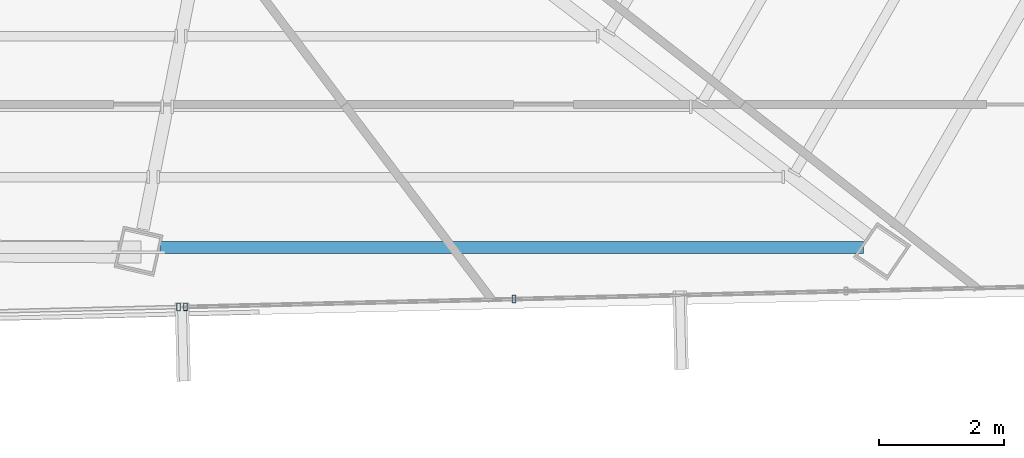
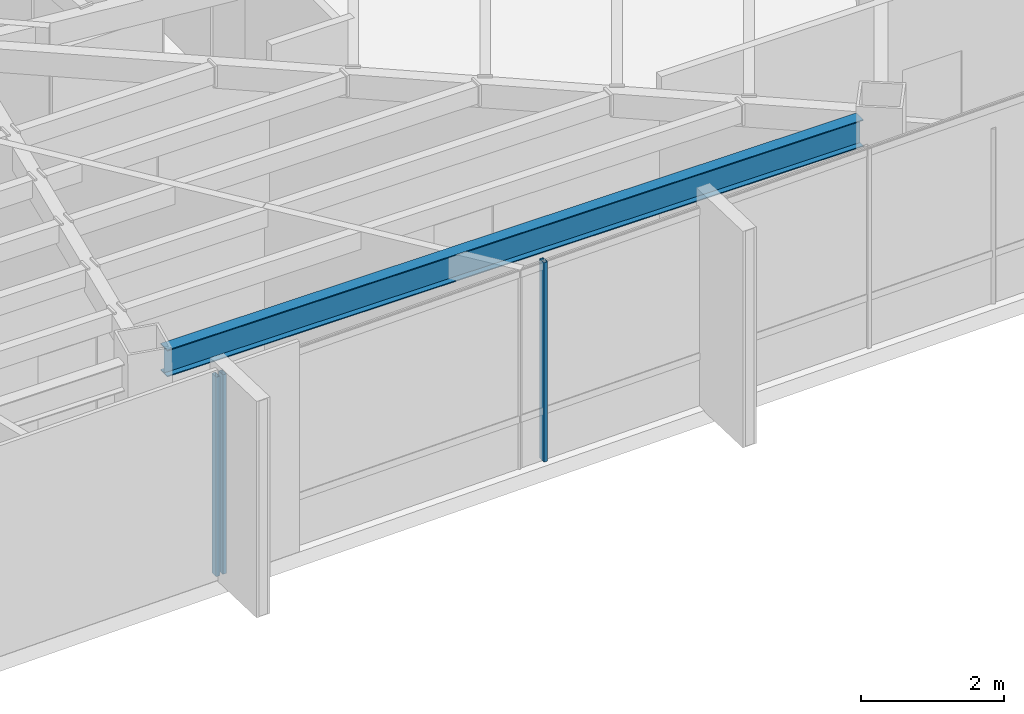
# One storey, part 19 of 45: 3 members, 1 beam, 2 elements without a shape of their own.
"""IFC4 building model written with IfcOpenShell, lengths in metres."""

import ifcopenshell
import ifcopenshell.guid

model = None  # the IFC model being written
_history = None  # IfcOwnerHistory: only IFC2X3 demands one
_inside = {}  # id of a spatial element -> (the spatial element, [elements in it])
_under = {}  # id of a project, library or spatial element -> (it, [spatial elements below it])
_declared = {}  # id of a project -> (the project, [libraries it declares])
_typed = {}  # id of a type object -> (the type object, [elements of that type])
_made_of = {}  # id of a material, layer set ... -> (it, [elements and type objects made of it])


def new_model(schema):
    """Start an empty IFC model of exactly this schema.

    Asked for "IFC4X3", IfcOpenShell would pick the latest addendum, in which some entities
    have other attributes; the version numbers below select the first issue.
    IFC2X3 requires an IfcOwnerHistory on every rooted entity: one is made here for all.
    """
    global model, _history
    if schema == "IFC4X3":
        model = ifcopenshell.file(schema_version=(4, 3, 0, 0))
    else:
        model = ifcopenshell.file(schema=schema)
    _inside.clear()
    _under.clear()
    _declared.clear()
    _typed.clear()
    _made_of.clear()
    _history = None
    if model.schema == "IFC2X3":
        org = make("IfcOrganization", Name="unknown")
        user = make(
            "IfcPersonAndOrganization",
            ThePerson=make("IfcPerson", FamilyName="unknown"),
            TheOrganization=org,
        )
        app = make(
            "IfcApplication",
            ApplicationDeveloper=org,
            Version="unknown",
            ApplicationFullName="unknown",
            ApplicationIdentifier="unknown",
        )
        _history = make(
            "IfcOwnerHistory",
            OwningUser=user,
            OwningApplication=app,
            ChangeAction="ADDED",
            CreationDate=0,
        )
    return model


def make(cls, **values):
    """One entity of the class cls with the attributes given. An attribute that is None is left unset."""
    return model.create_entity(
        cls, **{name: value for name, value in values.items() if value is not None}
    )


def rooted(cls, **values):
    """An entity with a GlobalId (a new one), such as an element, a storey or a relation."""
    return make(cls, GlobalId=ifcopenshell.guid.new(), OwnerHistory=_history, **values)


def si_unit(unit_type, name, prefix=None):
    """IfcSIUnit, for example si_unit("LENGTHUNIT", "METRE", prefix="MILLI")."""
    return make("IfcSIUnit", UnitType=unit_type, Prefix=prefix, Name=name)


def assignment(units):
    """IfcUnitAssignment: the units of a project."""
    return None if units is None else make("IfcUnitAssignment", Units=units)


def point(xyz):
    """IfcCartesianPoint."""
    return None if xyz is None else make("IfcCartesianPoint", Coordinates=xyz)


def direction(xyz):
    """IfcDirection."""
    return None if xyz is None else make("IfcDirection", DirectionRatios=xyz)


def frame(location, z_axis=None, x_axis=None):
    """IfcAxis2Placement3D, a coordinate frame: its origin and axes. An axis left out is left unset."""
    return make(
        "IfcAxis2Placement3D",
        Location=point(location),
        Axis=direction(z_axis),
        RefDirection=direction(x_axis),
    )


def frame_2d(location, x_axis=None):
    """IfcAxis2Placement2D, a coordinate frame in the plane: its origin and x axis."""
    return make(
        "IfcAxis2Placement2D", Location=point(location), RefDirection=direction(x_axis)
    )


def origin():
    """The frame at (0, 0, 0) with its axes left unset."""
    return frame((0.0, 0.0, 0.0))


def origin_2d():
    """The frame at (0, 0) in the plane with its x axis left unset."""
    return frame_2d((0.0, 0.0))


def place(relative_to, where):
    """IfcLocalPlacement: puts the frame where relative to a parent placement (None: the world)."""
    return make(
        "IfcLocalPlacement", PlacementRelTo=relative_to, RelativePlacement=where
    )


def context(
    kind, dimensions, precision=None, world=None, true_north=None, identifier=None
):
    """IfcGeometricRepresentationContext, for example the 3D "Model" context."""
    return make(
        "IfcGeometricRepresentationContext",
        ContextIdentifier=identifier,
        ContextType=kind,
        CoordinateSpaceDimension=dimensions,
        Precision=precision,
        WorldCoordinateSystem=world,
        TrueNorth=true_north,
    )


def subcontext(parent, identifier, kind, view, scale=None):
    """IfcGeometricRepresentationSubContext, for example "Body" below "Model"."""
    return make(
        "IfcGeometricRepresentationSubContext",
        ContextIdentifier=identifier,
        ContextType=kind,
        ParentContext=parent,
        TargetScale=scale,
        TargetView=view,
    )


def project(units=None, contexts=None):
    """IfcProject with its units and contexts."""
    return rooted(
        "IfcProject",
        Name="project",
        RepresentationContexts=contexts,
        UnitsInContext=assignment(units),
    )


def spatial(cls, under=None, at=None, **own):
    """A site, building, storey or space (cls), placed at a placement, below another one or the project."""
    s = rooted(cls, ObjectPlacement=at, **own)
    if under is not None:
        _under.setdefault(under.id(), (under, []))[1].append(s)
    return s


def profile(cls, at=None, kind="AREA", **sizes):
    """A parametric profile (cls). Its sizes go by their IFC names, for example OverallWidth=200.0."""
    return make(cls, ProfileType=kind, Position=at, **sizes)


def hollow_rectangle(**sizes):
    """IfcRectangleHollowProfileDef."""
    return profile("IfcRectangleHollowProfileDef", **sizes)


def i_section(**sizes):
    """IfcIShapeProfileDef."""
    return profile("IfcIShapeProfileDef", **sizes)


def extrude(swept, where, along, depth):
    """IfcExtrudedAreaSolid: the profile swept, set in the frame where, extruded along a direction by depth."""
    return make(
        "IfcExtrudedAreaSolid",
        SweptArea=swept,
        Position=where,
        ExtrudedDirection=direction(along),
        Depth=depth,
    )


def shape(context_of_items, identifier, shape_type, items):
    """IfcShapeRepresentation: the items that make up one representation, for example the "Body"."""
    return make(
        "IfcShapeRepresentation",
        ContextOfItems=context_of_items,
        RepresentationIdentifier=identifier,
        RepresentationType=shape_type,
        Items=items,
    )


def source(mapping_origin, context_of_items, identifier, shape_type, items):
    """IfcRepresentationMap: a shape defined once, which mapped items show again and again."""
    return make(
        "IfcRepresentationMap",
        MappingOrigin=mapping_origin,
        MappedRepresentation=shape(context_of_items, identifier, shape_type, items),
    )


def transform(
    local_origin,
    x_axis=None,
    y_axis=None,
    z_axis=None,
    scale=None,
    scale2=None,
    scale3=None,
    uniform=True,
):
    """IfcCartesianTransformationOperator3D, or its non-uniform kind. x_axis, y_axis, z_axis: its Axis1, 2, 3."""
    if uniform:
        return make(
            "IfcCartesianTransformationOperator3D",
            Axis1=direction(x_axis),
            Axis2=direction(y_axis),
            LocalOrigin=point(local_origin),
            Scale=scale,
            Axis3=direction(z_axis),
        )
    return make(
        "IfcCartesianTransformationOperator3DnonUniform",
        Axis1=direction(x_axis),
        Axis2=direction(y_axis),
        LocalOrigin=point(local_origin),
        Scale=scale,
        Axis3=direction(z_axis),
        Scale2=scale2,
        Scale3=scale3,
    )


def mapped(mapping_source, mapping_target):
    """IfcMappedItem: shows the shape of a source again, moved by a transform."""
    return make(
        "IfcMappedItem", MappingSource=mapping_source, MappingTarget=mapping_target
    )


def material(Name=None, Category=None):
    """IfcMaterial."""
    return make("IfcMaterial", Name=Name, Category=Category)


def material_profile(
    of_material, cross_section, Name=None, Category=None, Priority=None
):
    """IfcMaterialProfile: a cross section and its material."""
    return make(
        "IfcMaterialProfile",
        Name=Name,
        Material=of_material,
        Profile=cross_section,
        Priority=Priority,
        Category=Category,
    )


def profile_set(profiles, Name=None, composite=None):
    """IfcMaterialProfileSet."""
    return make(
        "IfcMaterialProfileSet",
        Name=Name,
        MaterialProfiles=profiles,
        CompositeProfile=composite,
    )


def made_of(thing, what):
    """Note that an element or type object is made of a material, layer set ...; save() writes the relation."""
    if what is not None:
        _made_of.setdefault(what.id(), (what, []))[1].append(thing)
    return thing


def type_object(cls, material=None, **own):
    """A type object (cls), such as IfcWallType, which elements share."""
    return made_of(rooted(cls, **own), material)


def type_shapes(of_type, sources):
    """Give a type object the sources (RepresentationMaps) that its elements show as mapped items."""
    of_type.RepresentationMaps = sources


def element(
    cls,
    number,
    at=None,
    inside=None,
    cuts=None,
    type_object=None,
    material=None,
    context=None,
    identifier="Body",
    shape_type=None,
    held_by="IfcProductDefinitionShape",
    body=None,
    shapes=None,
    **own,
):
    """One element of the class cls, such as IfcWall. Its Tag is "e" and its number.

    at: its placement. inside: the storey or other place that contains it. cuts: it is an
    opening in that element (IfcRelVoidsElement). A single representation is given by context,
    identifier, shape_type and body (its items); several are given by shapes. held_by: the class
    of the entity that holds the representations. save() writes the other relations.
    """
    e = rooted(cls, Tag="e%d" % number, ObjectPlacement=at, **own)
    if body is not None:
        shapes = [shape(context, identifier, shape_type, body)]
    if shapes is not None:
        e.Representation = make(held_by, Representations=shapes)
    if inside is not None:
        _inside.setdefault(inside.id(), (inside, []))[1].append(e)
    if cuts is not None:
        rooted(
            "IfcRelVoidsElement", RelatingBuildingElement=cuts, RelatedOpeningElement=e
        )
    if type_object is not None:
        _typed.setdefault(type_object.id(), (type_object, []))[1].append(e)
    return made_of(e, material)


def aggregate(whole, parts):
    """IfcRelAggregates: a whole, such as a stair, and the parts it consists of."""
    return rooted("IfcRelAggregates", RelatingObject=whole, RelatedObjects=parts)


def save(model, path):
    """Write the relations noted so far, then the file.

    IfcRelAggregates (storeys below a building ...), IfcRelContainedInSpatialStructure (elements
    in a storey), IfcRelDefinesByType, IfcRelAssociatesMaterial and IfcRelDeclares: one each for
    every whole, place, type object, material and project.
    """
    for whole, parts in _under.values():
        aggregate(whole, parts)
    for where, things in _inside.values():
        rooted(
            "IfcRelContainedInSpatialStructure",
            RelatedElements=things,
            RelatingStructure=where,
        )
    for kind, things in _typed.values():
        rooted("IfcRelDefinesByType", RelatedObjects=things, RelatingType=kind)
    for what, things in _made_of.values():
        rooted("IfcRelAssociatesMaterial", RelatedObjects=things, RelatingMaterial=what)
    for by, libraries in _declared.values():
        rooted("IfcRelDeclares", RelatingContext=by, RelatedDefinitions=libraries)
    model.write(path)


model = new_model("IFC4")

# Units and contexts
model_context = context("Model", 3, precision=1e-05, world=origin(), true_north=direction((0.0, 1.0)))
body_context = subcontext(model_context, "Body", "Model", "MODEL_VIEW")
ifc_project = project(units=[si_unit("LENGTHUNIT", "METRE"), si_unit("AREAUNIT", "SQUARE_METRE"), si_unit("VOLUMEUNIT", "CUBIC_METRE"), si_unit("PLANEANGLEUNIT", "RADIAN"), si_unit("MASSUNIT", "GRAM", prefix="KILO")], contexts=[model_context])

# Site, building, storey
site_placement = place(None, origin())
site = spatial("IfcSite", under=ifc_project, at=site_placement, CompositionType="ELEMENT")
building_placement = place(site_placement, origin())
building = spatial("IfcBuilding", under=site, at=building_placement, Name="Caelisora Broadcast Tower", CompositionType="ELEMENT")
storey_placement = place(building_placement, frame((0.0, 0.0, 262.699951171875)))
storey = spatial("IfcBuildingStorey", under=building, at=storey_placement, Name="L69", CompositionType="ELEMENT", Elevation=262.699951171875)

# Beam
ifc_material_1 = material(Name="Steel Grade 350 (AS/NZS 3679.1)", Category="steel")
ifc_material_profile_1 = material_profile(ifc_material_1, i_section(OverallWidth=0.19091796875, OverallDepth=0.46044921875, WebThickness=0.010009765625, FlangeThickness=0.01611328125, at=origin_2d()), Name="Steel Grade 350 (AS/NZS 3679.1)")
ifc_profile_set_1 = profile_set([ifc_material_profile_1], Name="Steel Grade 350 (AS/NZS 3679.1)")
beam_type = type_object("IfcBeamType", Name="PG06", PredefinedType="BEAM", material=ifc_profile_set_1)
shared_shape_1 = source(origin(), body_context, "Body", "SweptSolid", [
    extrude(i_section(OverallWidth=0.19091796875, OverallDepth=0.46044921875, WebThickness=0.010009765625, FlangeThickness=0.01611328125, at=origin_2d()), origin(), (0.0, 0.0, 1.0), 11.22265625),
])
type_shapes(beam_type, [shared_shape_1])
beam_placement = place(storey_placement, frame((44.287353515625, 9.529052734375, 3.169921875), z_axis=(1.0, 0.0, 0.0), x_axis=(0.0, 1.0, 0.0)))
element("IfcBeam", 1, at=beam_placement, inside=storey, type_object=beam_type, Name="L69 beam PG06", PredefinedType="BEAM", context=body_context, shape_type="MappedRepresentation", body=[
    mapped(shared_shape_1, transform((0.0, 0.0, 0.0), scale=1.0)),
])

# Curtain wall, members
ifc_material_2 = material(Name="Unitised Aluminium and Low-E Glass Curtain Wall", Category="glass")
curtain_wall_type_1 = type_object("IfcCurtainWallType", Name="CW-Z5", PredefinedType="NOTDEFINED", material=ifc_material_2)
curtain_wall_1_placement = place(storey_placement, origin())
curtain_wall_1 = element("IfcCurtainWall", 2, at=curtain_wall_1_placement, inside=storey, type_object=curtain_wall_type_1, Name="L69 curtain wall CW-Z5", PredefinedType="NOTDEFINED")
ifc_material_3 = material(Name="Aluminium 6063-T6 Anodised Terracotta Bronze", Category="aluminium")
ifc_material_profile_2 = material_profile(ifc_material_3, hollow_rectangle(XDim=0.06005859375, YDim=0.1201171875, WallThickness=0.0029296875, at=origin_2d()), Name="Aluminium 6063-T6 Anodised Terracotta Bronze")
ifc_profile_set_2 = profile_set([ifc_material_profile_2], Name="Aluminium 6063-T6 Anodised Terracotta Bronze")
member_type = type_object("IfcMemberType", Name="CWM-04", PredefinedType="MULLION", material=ifc_profile_set_2)
shared_shape_2 = source(origin(), body_context, "Body", "SweptSolid", [
    extrude(hollow_rectangle(XDim=0.06005859375, YDim=0.1201171875, WallThickness=0.0029296875, at=origin_2d()), origin(), (0.0, 0.0, 1.0), 3.400146484375),
])
type_shapes(member_type, [shared_shape_2])
member_1_placement = place(storey_placement, frame((49.932373046875, 8.705810546875, 0.0), z_axis=(0.0, 0.0, 1.0), x_axis=(1.0, 0.0, 0.0)))
member_1 = element("IfcMember", 3, at=member_1_placement, type_object=member_type, Name="L69-CW-B05 mullion #2", PredefinedType="MULLION", context=body_context, shape_type="MappedRepresentation", body=[
    mapped(shared_shape_2, transform((0.0, 0.0, 0.0), scale=1.0)),
])
member_2_placement = place(storey_placement, frame((44.68408203125, 8.580810546875, 0.0), z_axis=(0.0, 0.0, 1.0), x_axis=(1.0, 0.0, 0.0)))
member_2 = element("IfcMember", 4, at=member_2_placement, type_object=member_type, Name="L69-CW-B05 mullion #3", PredefinedType="MULLION", context=body_context, shape_type="MappedRepresentation", body=[
    mapped(shared_shape_2, transform((0.0, 0.0, 0.0), scale=1.0)),
])
aggregate(curtain_wall_1, [member_1, member_2])

# Curtain wall, member
ifc_material_4 = material(Name="Unitised Aluminium Insulated Shadow-Box Spandrel Curtain Wall", Category="aluminium")
curtain_wall_type_2 = type_object("IfcCurtainWallType", Name="CW-SP3", PredefinedType="NOTDEFINED", material=ifc_material_4)
curtain_wall_2_placement = place(storey_placement, origin())
curtain_wall_2 = element("IfcCurtainWall", 5, at=curtain_wall_2_placement, inside=storey, type_object=curtain_wall_type_2, Name="L69 curtain wall CW-SP3", PredefinedType="NOTDEFINED")
member_3_placement = place(storey_placement, frame((44.573974609375, 8.578125, 0.0), z_axis=(0.0, 0.0, 1.0), x_axis=(1.0, 0.0, 0.0)))
member_3 = element("IfcMember", 6, at=member_3_placement, type_object=member_type, Name="L69-CW-B06 mullion #0", PredefinedType="MULLION", context=body_context, shape_type="MappedRepresentation", body=[
    mapped(shared_shape_2, transform((0.0, 0.0, 0.0), scale=1.0)),
])
aggregate(curtain_wall_2, [member_3])

save(model, "model.ifc")
